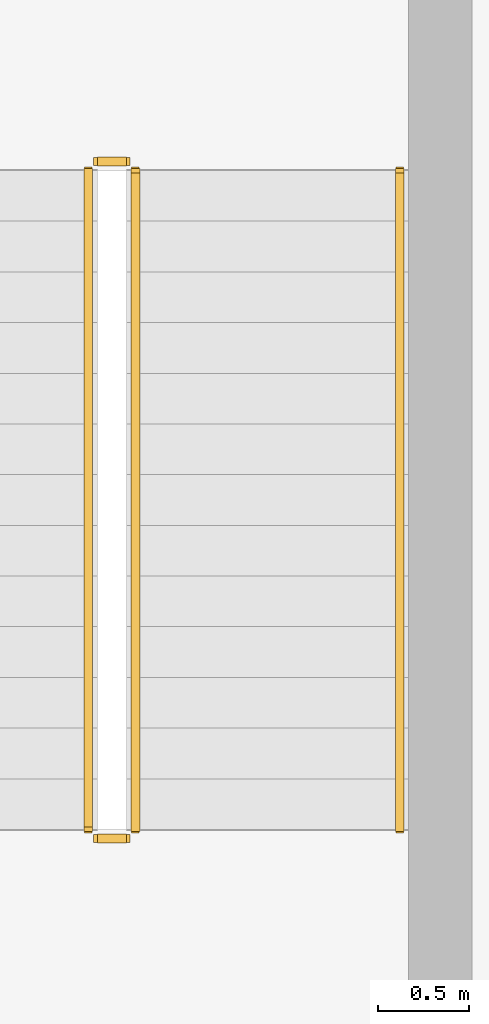
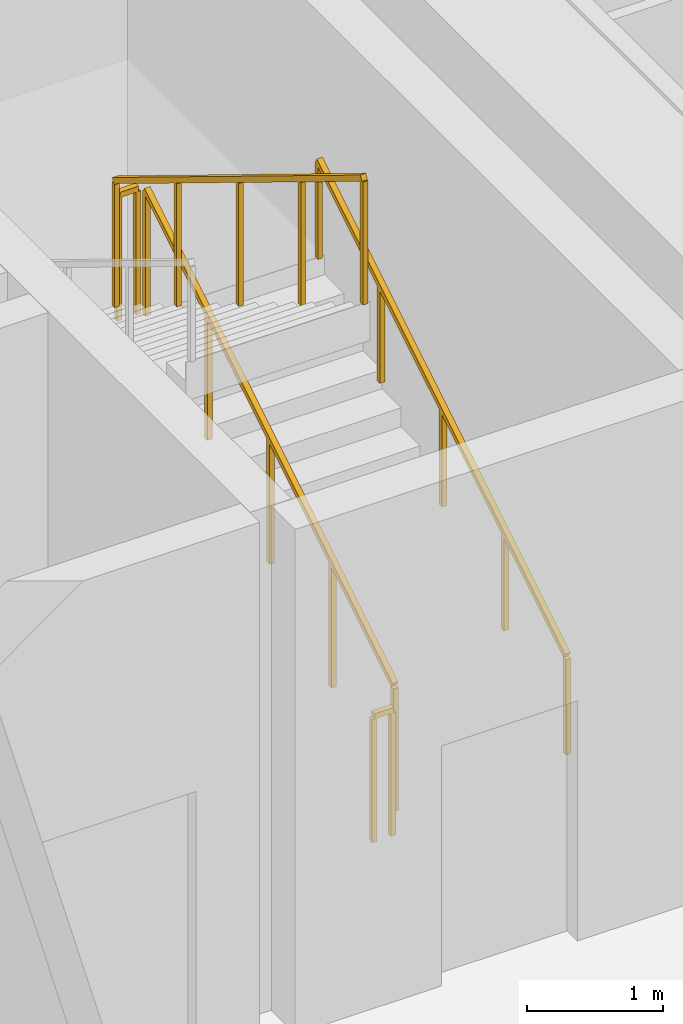
# One storey, part 36 of 37: 5 railings.
"""IFC4 building model written with IfcOpenShell, lengths in metres."""

from ifc_helpers import new_model, si_unit, direction, frame, origin, origin_2d, place, context, subcontext, project, spatial, rectangle, extrude, material, type_object, element, save


model = new_model("IFC4")

# Units and contexts
model_context = context("Model", 3, precision=1e-05, world=origin(), true_north=direction((0.0, 1.0)))
body_context = subcontext(model_context, "Body", "Model", "MODEL_VIEW")
ifc_project = project(units=[si_unit("LENGTHUNIT", "METRE"), si_unit("AREAUNIT", "SQUARE_METRE"), si_unit("VOLUMEUNIT", "CUBIC_METRE"), si_unit("PLANEANGLEUNIT", "RADIAN"), si_unit("MASSUNIT", "GRAM", prefix="KILO")], contexts=[model_context])

# Site, building, storey
site_placement = place(None, origin())
site = spatial("IfcSite", under=ifc_project, at=site_placement, CompositionType="ELEMENT")
building_placement = place(site_placement, origin())
building = spatial("IfcBuilding", under=site, at=building_placement, Name="Kaelvorn Grand Hotel", CompositionType="ELEMENT")
storey_placement = place(building_placement, frame((0.0, 0.0, 130.550048828125)))
storey = spatial("IfcBuildingStorey", under=building, at=storey_placement, Name="L31", CompositionType="ELEMENT", Elevation=130.550048828125)

# Railings
ifc_material = material(Name="Stainless Steel", Category="steel")
railing_type_1 = type_object("IfcRailingType", Name="RL-HANDRAIL-900", PredefinedType="HANDRAIL", material=ifc_material)
railing_1_placement = place(storey_placement, frame((66.550048828125, 41.760009765625, 0.17138671875)))
element("IfcRailing", 1, at=railing_1_placement, inside=storey, type_object=railing_type_1, Name="L31 ST3 stair handrail 1", PredefinedType="HANDRAIL", context=body_context, shape_type="SweptSolid", body=[
    extrude(rectangle(XDim=0.048095703125, YDim=0.048095703125, at=origin_2d()), frame((0.0, 0.0, 0.8759765625), z_axis=(0.0, 0.852850264322, 0.5221555579), x_axis=(-1.0, 0.0, 0.0)), (0.0, 0.0, 1.0), 4.267822265625),
    extrude(rectangle(XDim=0.0419921875, YDim=0.0419921875, at=origin_2d()), origin(), (0.0, 0.0, 1.0), 0.851806640625),
    extrude(rectangle(XDim=0.0419921875, YDim=0.0419921875, at=origin_2d()), frame((0.0, 0.909912109375, 0.55712890625)), (0.0, 0.0, 1.0), 0.851806640625),
    extrude(rectangle(XDim=0.0419921875, YDim=0.0419921875, at=origin_2d()), frame((0.0, 1.81982421875, 1.1142578125)), (0.0, 0.0, 1.0), 0.851806640625),
    extrude(rectangle(XDim=0.0419921875, YDim=0.0419921875, at=origin_2d()), frame((0.0, 2.72998046875, 1.67138671875)), (0.0, 0.0, 1.0), 0.851806640625),
    extrude(rectangle(XDim=0.0419921875, YDim=0.0419921875, at=origin_2d()), frame((0.0, 3.639892578125, 2.228515625)), (0.0, 0.0, 1.0), 0.851806640625),
])
railing_type_2 = type_object("IfcRailingType", Name="RL-STAIR-GUARD-1150", PredefinedType="BALUSTRADE", material=ifc_material)
railing_2_placement = place(storey_placement, frame((65.090087890625, 41.760009765625, 0.17138671875)))
element("IfcRailing", 2, at=railing_2_placement, inside=storey, type_object=railing_type_2, Name="L31 ST3 stair guard 1", PredefinedType="BALUSTRADE", context=body_context, shape_type="SweptSolid", body=[
    extrude(rectangle(XDim=0.048095703125, YDim=0.048095703125, at=origin_2d()), frame((0.0, 0.0, 1.1259765625), z_axis=(0.0, 0.852850264322, 0.5221555579), x_axis=(-1.0, 0.0, 0.0)), (0.0, 0.0, 1.0), 4.267822265625),
    extrude(rectangle(XDim=0.0419921875, YDim=0.0419921875, at=origin_2d()), origin(), (0.0, 0.0, 1.0), 1.101806640625),
    extrude(rectangle(XDim=0.0419921875, YDim=0.0419921875, at=origin_2d()), frame((0.0, 0.909912109375, 0.55712890625)), (0.0, 0.0, 1.0), 1.101806640625),
    extrude(rectangle(XDim=0.0419921875, YDim=0.0419921875, at=origin_2d()), frame((0.0, 1.81982421875, 1.1142578125)), (0.0, 0.0, 1.0), 1.101806640625),
    extrude(rectangle(XDim=0.0419921875, YDim=0.0419921875, at=origin_2d()), frame((0.0, 2.72998046875, 1.67138671875)), (0.0, 0.0, 1.0), 1.101806640625),
    extrude(rectangle(XDim=0.0419921875, YDim=0.0419921875, at=origin_2d()), frame((0.0, 3.639892578125, 2.228515625)), (0.0, 0.0, 1.0), 1.101806640625),
])
railing_3_placement = place(storey_placement, frame((65.0400390625, 45.449951171875, 2.39990234375)))
element("IfcRailing", 3, at=railing_3_placement, inside=storey, type_object=railing_type_2, Name="L31 ST3 stair guard 2", PredefinedType="BALUSTRADE", context=body_context, shape_type="SweptSolid", body=[
    extrude(rectangle(XDim=0.048095703125, YDim=0.048095703125, at=origin_2d()), frame((0.0, 0.0, 1.1259765625), z_axis=(-1.0, 0.0, 0.0), x_axis=(0.0, -1.0, 0.0)), (0.0, 0.0, 1.0), 0.16015625),
    extrude(rectangle(XDim=0.0419921875, YDim=0.0419921875, at=origin_2d()), origin(), (0.0, 0.0, 1.0), 1.101806640625),
    extrude(rectangle(XDim=0.0419921875, YDim=0.0419921875, at=origin_2d()), frame((-0.16015625, 0.0, 0.0)), (0.0, 0.0, 1.0), 1.101806640625),
])
railing_4_placement = place(storey_placement, frame((64.830078125, 45.39990234375, 2.5712890625)))
element("IfcRailing", 4, at=railing_4_placement, inside=storey, type_object=railing_type_2, Name="L31 ST3 stair guard 3", PredefinedType="BALUSTRADE", context=body_context, shape_type="SweptSolid", body=[
    extrude(rectangle(XDim=0.048095703125, YDim=0.048095703125, at=origin_2d()), frame((0.0, 0.0, 1.1259765625), z_axis=(0.0, -0.852824790078, 0.522197163366), x_axis=(1.0, 0.0, 0.0)), (0.0, 0.0, 1.0), 4.26806640625),
    extrude(rectangle(XDim=0.0419921875, YDim=0.0419921875, at=origin_2d()), origin(), (0.0, 0.0, 1.0), 1.101806640625),
    extrude(rectangle(XDim=0.0419921875, YDim=0.0419921875, at=origin_2d()), frame((0.0, -0.909912109375, 0.55712890625)), (0.0, 0.0, 1.0), 1.101806640625),
    extrude(rectangle(XDim=0.0419921875, YDim=0.0419921875, at=origin_2d()), frame((0.0, -1.81982421875, 1.1142578125)), (0.0, 0.0, 1.0), 1.101806640625),
    extrude(rectangle(XDim=0.0419921875, YDim=0.0419921875, at=origin_2d()), frame((0.0, -2.72998046875, 1.671630859375)), (0.0, 0.0, 1.0), 1.101806640625),
    extrude(rectangle(XDim=0.0419921875, YDim=0.0419921875, at=origin_2d()), frame((0.0, -3.639892578125, 2.228759765625)), (0.0, 0.0, 1.0), 1.101806640625),
])
railing_5_placement = place(storey_placement, frame((65.0400390625, 41.7099609375, 0.0)))
element("IfcRailing", 5, at=railing_5_placement, inside=storey, type_object=railing_type_2, Name="L31 ST3 stair guard 4", PredefinedType="BALUSTRADE", context=body_context, shape_type="SweptSolid", body=[
    extrude(rectangle(XDim=0.048095703125, YDim=0.048095703125, at=origin_2d()), frame((0.0, 0.0, 1.1259765625), z_axis=(-1.0, 0.0, 0.0), x_axis=(0.0, -1.0, 0.0)), (0.0, 0.0, 1.0), 0.16015625),
    extrude(rectangle(XDim=0.0419921875, YDim=0.0419921875, at=origin_2d()), origin(), (0.0, 0.0, 1.0), 1.101806640625),
    extrude(rectangle(XDim=0.0419921875, YDim=0.0419921875, at=origin_2d()), frame((-0.16015625, 0.0, 0.0)), (0.0, 0.0, 1.0), 1.101806640625),
])

save(model, "model.ifc")
